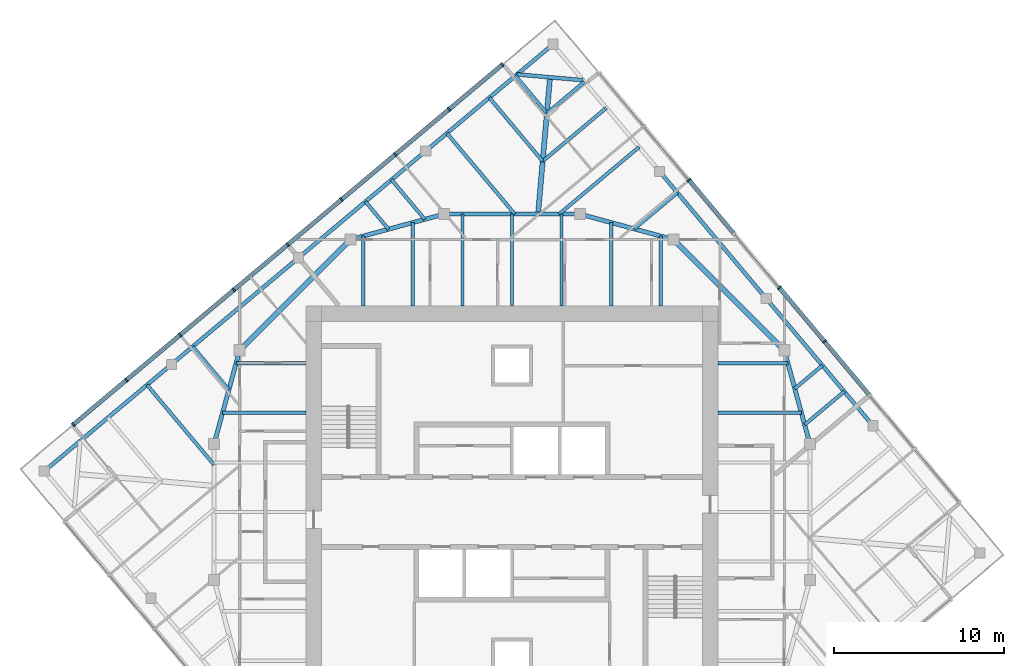
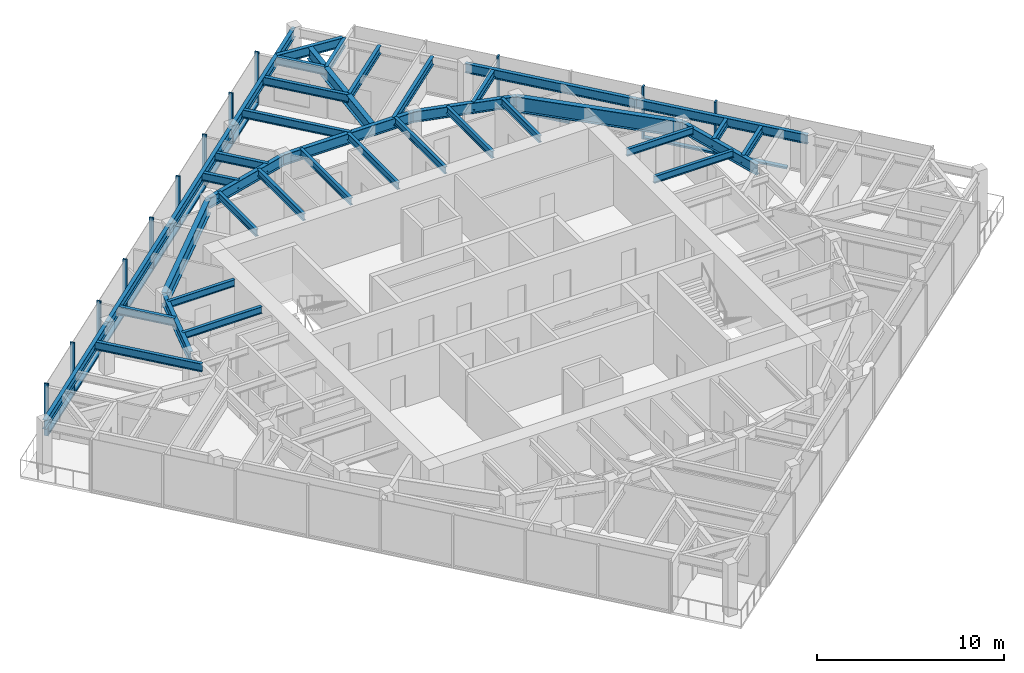
# One storey, part 4 of 12: 39 beams, 23 members, 2 elements without a shape of their own.
"""IFC4 building model written with IfcOpenShell, lengths in metres."""

from ifc_helpers import new_model, si_unit, direction, frame, origin, origin_2d, place, context, subcontext, project, spatial, rectangle, i_section, extrude, material, material_profile, profile_set, type_object, element, aggregate, save


model = new_model("IFC4")

# Units and contexts
model_context = context("Model", 3, precision=1e-05, world=origin(), true_north=direction((0.0, 1.0)))
body_context = subcontext(model_context, "Body", "Model", "MODEL_VIEW")
ifc_project = project(units=[si_unit("LENGTHUNIT", "METRE"), si_unit("AREAUNIT", "SQUARE_METRE"), si_unit("VOLUMEUNIT", "CUBIC_METRE"), si_unit("PLANEANGLEUNIT", "RADIAN"), si_unit("MASSUNIT", "GRAM", prefix="KILO")], contexts=[model_context])

# Site, building, storey
site_placement = place(None, origin())
site = spatial("IfcSite", under=ifc_project, at=site_placement, CompositionType="ELEMENT")
building_placement = place(site_placement, origin())
building = spatial("IfcBuilding", under=site, at=building_placement, Name="Torsade Residences", CompositionType="ELEMENT")
storey_placement = place(building_placement, frame((0.0, 0.0, 282.800048828125)))
storey = spatial("IfcBuildingStorey", under=building, at=storey_placement, Name="L78", CompositionType="ELEMENT", Elevation=282.800048828125)

# Beams
ifc_material_1 = material(Name="Steel grade 300", Category="steel")
ifc_material_profile_1 = material_profile(ifc_material_1, i_section(OverallWidth=0.300048828125, OverallDepth=0.800048828125, WebThickness=0.010009765625, FlangeThickness=0.02001953125, at=origin_2d()), Name="800WB146")
ifc_profile_set_1 = profile_set([ifc_material_profile_1], Name="Steel grade 300")
beam_type_1 = type_object("IfcBeamType", Name="CORNER GIRDER 800WB146", PredefinedType="BEAM", material=ifc_profile_set_1)
beam_1_placement = place(storey_placement, frame((42.234130859375, 55.53515625, 2.849853515625), z_axis=(-0.087172957961, -0.996193191806, 0.0), x_axis=(0.996193191806, -0.087172957961, 0.0)))
element("IfcBeam", 1, at=beam_1_placement, inside=storey, type_object=beam_type_1, Name="Corner girder 09 L79", PredefinedType="BEAM", context=body_context, shape_type="SweptSolid", body=[
    extrude(i_section(OverallWidth=0.300048828125, OverallDepth=0.800048828125, WebThickness=0.010009765625, FlangeThickness=0.02001953125, at=origin_2d()), origin(), (0.0, 0.0, 1.0), 8.06591796875),
])
ifc_material_2 = material(Name="Steel grade 300", Category="steel")
ifc_material_profile_2 = material_profile(ifc_material_2, i_section(OverallWidth=0.22802734375, OverallDepth=0.60205078125, WebThickness=0.010498046875, FlangeThickness=0.014892578125, FilletRadius=0.013916015625, at=origin_2d()), Name="610UB101")
ifc_profile_set_2 = profile_set([ifc_material_profile_2], Name="Steel grade 300")
beam_type_2 = type_object("IfcBeamType", Name="CORNER TRIMMER 610UB101", PredefinedType="BEAM", material=ifc_profile_set_2)
beam_2_placement = place(storey_placement, frame((40.296875, 55.70458984375, 2.948974609375), z_axis=(0.996196646947, -0.087133464362, 0.0), x_axis=(0.087133464362, 0.996196646947, 0.0)))
element("IfcBeam", 2, at=beam_2_placement, inside=storey, type_object=beam_type_2, Name="Corner trimmer 09 L79", PredefinedType="BEAM", context=body_context, shape_type="SweptSolid", body=[
    extrude(i_section(OverallWidth=0.22802734375, OverallDepth=0.60205078125, WebThickness=0.010498046875, FlangeThickness=0.014892578125, FilletRadius=0.013916015625, at=origin_2d()), origin(), (0.0, 0.0, 1.0), 3.88916015625),
])
ifc_material_3 = material(Name="Steel grade 300", Category="steel")
ifc_material_profile_3 = material_profile(ifc_material_3, i_section(OverallWidth=0.22802734375, OverallDepth=0.60205078125, WebThickness=0.010498046875, FlangeThickness=0.014892578125, FilletRadius=0.013916015625, at=origin_2d()), Name="610UB101")
ifc_profile_set_3 = profile_set([ifc_material_profile_3], Name="Steel grade 300")
beam_type_3 = type_object("IfcBeamType", Name="EDGE BEAM 610UB101", PredefinedType="SPANDREL", material=ifc_profile_set_3)
for number, where, z_axis, x_axis, name in (
    (3, (61.205078125, 35.0654296875, 2.948974609375), (-0.642779160279, 0.766051532934, 0.0), (-0.766051532934, -0.642779160279, 0.0), "Edge beam 06 L79"),
    (4, (54.93798828125, 42.534423828125, 2.948974609375), (-0.642806184154, 0.766028856906, 0.0), (-0.766028856906, -0.642806184154, 0.0), "Edge beam 07 L79"),
    (5, (42.403564453125, 57.47216796875, 2.948974609375), (-0.766051532934, -0.642779160279, 0.0), (0.642779160279, -0.766051532934, 0.0), "Edge beam 09 L79"),
    (6, (34.9345703125, 51.205078125, 2.948974609375), (-0.766051532934, -0.642779160279, 0.0), (0.642779160279, -0.766051532934, 0.0), "Edge beam 10 L79"),
    (7, (27.465576171875, 44.93798828125, 2.948974609375), (-0.766028856906, -0.642806184154, 0.0), (0.642806184154, -0.766028856906, 0.0), "Edge beam 11 L79"),
    (8, (19.996826171875, 38.670654296875, 2.948974609375), (-0.766051532934, -0.642779160279, 0.0), (0.642779160279, -0.766051532934, 0.0), "Edge beam 12 L79"),
):
    element("IfcBeam", number, at=place(storey_placement, frame(where, z_axis=z_axis, x_axis=x_axis)), inside=storey, type_object=beam_type_3, Name=name, PredefinedType="SPANDREL", context=body_context, shape_type="SweptSolid", body=[
        extrude(i_section(OverallWidth=0.22802734375, OverallDepth=0.60205078125, WebThickness=0.010498046875, FlangeThickness=0.014892578125, FilletRadius=0.013916015625, at=origin_2d()), origin(), (0.0, 0.0, 1.0), 9.75),
    ])

# Curtain wall, members
ifc_material_4 = material(Name="Aluminium and glass", Category="aluminium")
curtain_wall_type = type_object("IfcCurtainWallType", Name="FRITTED GLASS CURTAIN WALL HIGH ZONE", PredefinedType="NOTDEFINED", material=ifc_material_4)
curtain_wall_1_placement = place(storey_placement, origin())
curtain_wall_1 = element("IfcCurtainWall", 9, at=curtain_wall_1_placement, inside=storey, type_object=curtain_wall_type, Name="Curtain wall L78 face 4", PredefinedType="NOTDEFINED")
ifc_material_5 = material(Name="Aluminium mullion", Category="aluminium")
ifc_material_profile_4 = material_profile(ifc_material_5, rectangle(XDim=0.25, YDim=0.10009765625, at=origin_2d()), Name="HIGH ZONE CURTAIN WALL MULLION 250x100")
ifc_profile_set_4 = profile_set([ifc_material_profile_4], Name="Aluminium mullion")
member_type_1 = type_object("IfcMemberType", Name="HIGH ZONE CURTAIN WALL MULLION 250x100", PredefinedType="MULLION", material=ifc_profile_set_4)
member_1_placement = place(storey_placement, frame((58.35546875, 40.017333984375, 0.0), z_axis=(0.0, 0.0, 1.0), x_axis=(-0.766044437106, -0.642787616853, 0.0)))
member_1 = element("IfcMember", 10, at=member_1_placement, type_object=member_type_1, Name="Mullion 4", PredefinedType="MULLION", context=body_context, shape_type="SweptSolid", body=[
    extrude(rectangle(XDim=0.25, YDim=0.10009765625, at=origin_2d()), origin(), (0.0, 0.0, 1.0), 3.39990234375),
])
member_2_placement = place(storey_placement, frame((55.703857421875, 43.17724609375, 0.0), z_axis=(0.0, 0.0, 1.0), x_axis=(-0.766044437106, -0.642787616853, 0.0)))
member_2 = element("IfcMember", 11, at=member_2_placement, type_object=member_type_1, Name="Mullion 5", PredefinedType="MULLION", context=body_context, shape_type="SweptSolid", body=[
    extrude(rectangle(XDim=0.25, YDim=0.10009765625, at=origin_2d()), origin(), (0.0, 0.0, 1.0), 3.39990234375),
])
member_3_placement = place(storey_placement, frame((50.40087890625, 49.4970703125, 0.0), z_axis=(0.0, 0.0, 1.0), x_axis=(-0.766044437106, -0.642787616853, 0.0)))
member_3 = element("IfcMember", 12, at=member_3_placement, type_object=member_type_1, Name="Mullion 7", PredefinedType="MULLION", context=body_context, shape_type="SweptSolid", body=[
    extrude(rectangle(XDim=0.25, YDim=0.10009765625, at=origin_2d()), origin(), (0.0, 0.0, 1.0), 3.39990234375),
])

curtain_wall_2_placement = place(storey_placement, origin())
curtain_wall_2 = element("IfcCurtainWall", 13, at=curtain_wall_2_placement, inside=storey, type_object=curtain_wall_type, Name="Curtain wall L78 face 7", PredefinedType="NOTDEFINED")
member_4_placement = place(storey_placement, frame((39.42431640625, 56.27783203125, 0.0), z_axis=(0.0, 0.0, 1.0), x_axis=(0.642787616853, -0.766044437106, 0.0)))
member_4 = element("IfcMember", 14, at=member_4_placement, type_object=member_type_1, Name="Mullion 1", PredefinedType="MULLION", context=body_context, shape_type="SweptSolid", body=[
    extrude(rectangle(XDim=0.25, YDim=0.10009765625, at=origin_2d()), origin(), (0.0, 0.0, 1.0), 3.39990234375),
])
member_5_placement = place(storey_placement, frame((36.302734375, 53.658447265625, 0.0), z_axis=(0.0, 0.0, 1.0), x_axis=(0.642787616853, -0.766044437106, 0.0)))
member_5 = element("IfcMember", 15, at=member_5_placement, type_object=member_type_1, Name="Mullion 2", PredefinedType="MULLION", context=body_context, shape_type="SweptSolid", body=[
    extrude(rectangle(XDim=0.25, YDim=0.10009765625, at=origin_2d()), origin(), (0.0, 0.0, 1.0), 3.39990234375),
])
member_6_placement = place(storey_placement, frame((33.142822265625, 51.0068359375, 0.0), z_axis=(0.0, 0.0, 1.0), x_axis=(0.642787616853, -0.766044437106, 0.0)))
member_6 = element("IfcMember", 16, at=member_6_placement, type_object=member_type_1, Name="Mullion 3", PredefinedType="MULLION", context=body_context, shape_type="SweptSolid", body=[
    extrude(rectangle(XDim=0.25, YDim=0.10009765625, at=origin_2d()), origin(), (0.0, 0.0, 1.0), 3.39990234375),
])
member_7_placement = place(storey_placement, frame((29.982666015625, 48.35546875, 0.0), z_axis=(0.0, 0.0, 1.0), x_axis=(0.642787616853, -0.766044437106, 0.0)))
member_7 = element("IfcMember", 17, at=member_7_placement, type_object=member_type_1, Name="Mullion 4", PredefinedType="MULLION", context=body_context, shape_type="SweptSolid", body=[
    extrude(rectangle(XDim=0.25, YDim=0.10009765625, at=origin_2d()), origin(), (0.0, 0.0, 1.0), 3.39990234375),
])
member_8_placement = place(storey_placement, frame((26.82275390625, 45.703857421875, 0.0), z_axis=(0.0, 0.0, 1.0), x_axis=(0.642787616853, -0.766044437106, 0.0)))
member_8 = element("IfcMember", 18, at=member_8_placement, type_object=member_type_1, Name="Mullion 5", PredefinedType="MULLION", context=body_context, shape_type="SweptSolid", body=[
    extrude(rectangle(XDim=0.25, YDim=0.10009765625, at=origin_2d()), origin(), (0.0, 0.0, 1.0), 3.39990234375),
])
member_9_placement = place(storey_placement, frame((23.662841796875, 43.052490234375, 0.0), z_axis=(0.0, 0.0, 1.0), x_axis=(0.642787616853, -0.766044437106, 0.0)))
member_9 = element("IfcMember", 19, at=member_9_placement, type_object=member_type_1, Name="Mullion 6", PredefinedType="MULLION", context=body_context, shape_type="SweptSolid", body=[
    extrude(rectangle(XDim=0.25, YDim=0.10009765625, at=origin_2d()), origin(), (0.0, 0.0, 1.0), 3.39990234375),
])
member_10_placement = place(storey_placement, frame((20.5029296875, 40.40087890625, 0.0), z_axis=(0.0, 0.0, 1.0), x_axis=(0.642787616853, -0.766044437106, 0.0)))
member_10 = element("IfcMember", 20, at=member_10_placement, type_object=member_type_1, Name="Mullion 7", PredefinedType="MULLION", context=body_context, shape_type="SweptSolid", body=[
    extrude(rectangle(XDim=0.25, YDim=0.10009765625, at=origin_2d()), origin(), (0.0, 0.0, 1.0), 3.39990234375),
])
member_11_placement = place(storey_placement, frame((17.343017578125, 37.74951171875, 0.0), z_axis=(0.0, 0.0, 1.0), x_axis=(0.642787616853, -0.766044437106, 0.0)))
member_11 = element("IfcMember", 21, at=member_11_placement, type_object=member_type_1, Name="Mullion 8", PredefinedType="MULLION", context=body_context, shape_type="SweptSolid", body=[
    extrude(rectangle(XDim=0.25, YDim=0.10009765625, at=origin_2d()), origin(), (0.0, 0.0, 1.0), 3.39990234375),
])
member_12_placement = place(storey_placement, frame((14.221435546875, 35.130126953125, 0.0), z_axis=(0.0, 0.0, 1.0), x_axis=(0.642787616853, -0.766044437106, 0.0)))
member_12 = element("IfcMember", 22, at=member_12_placement, type_object=member_type_1, Name="Mullion 9", PredefinedType="MULLION", context=body_context, shape_type="SweptSolid", body=[
    extrude(rectangle(XDim=0.25, YDim=0.10009765625, at=origin_2d()), origin(), (0.0, 0.0, 1.0), 3.39990234375),
])

# Member
ifc_material_6 = material(Name="Aluminium transom", Category="aluminium")
ifc_material_profile_5 = material_profile(ifc_material_6, rectangle(XDim=0.25, YDim=0.1201171875, at=origin_2d()), Name="HIGH ZONE CURTAIN WALL TRANSOM 250x120")
ifc_profile_set_5 = profile_set([ifc_material_profile_5], Name="Aluminium transom")
member_type_2 = type_object("IfcMemberType", Name="HIGH ZONE CURTAIN WALL TRANSOM 250x120", PredefinedType="USERDEFINED", material=ifc_profile_set_5)
member_13_placement = place(storey_placement, frame((60.974853515625, 36.8955078125, 0.06005859375), z_axis=(-0.642793719372, 0.766039316443, 0.0), x_axis=(-0.766039316443, -0.642793719372, 0.0)))
member_13 = element("IfcMember", 23, at=member_13_placement, type_object=member_type_2, Name="Transom 3.1", ObjectType="TRANSOM", PredefinedType="USERDEFINED", context=body_context, shape_type="SweptSolid", body=[
    extrude(rectangle(XDim=0.25, YDim=0.1201171875, at=origin_2d()), origin(), (0.0, 0.0, 1.0), 4.025146484375),
])

member_14_placement = place(storey_placement, frame((58.3232421875, 40.055419921875, 0.06005859375), z_axis=(-0.6427581255, 0.766069182322, 0.0), x_axis=(-0.766069182322, -0.6427581255, 0.0)))
member_14 = element("IfcMember", 24, at=member_14_placement, type_object=member_type_2, Name="Transom 4.1", ObjectType="TRANSOM", PredefinedType="USERDEFINED", context=body_context, shape_type="SweptSolid", body=[
    extrude(rectangle(XDim=0.25, YDim=0.1201171875, at=origin_2d()), origin(), (0.0, 0.0, 1.0), 4.025146484375),
])

member_15_placement = place(storey_placement, frame((53.020263671875, 46.37548828125, 0.06005859375), z_axis=(-0.642787992616, 0.766044121803, 0.0), x_axis=(-0.766044121803, -0.642787992616, 0.0)))
member_15 = element("IfcMember", 25, at=member_15_placement, type_object=member_type_2, Name="Transom 6.1", ObjectType="TRANSOM", PredefinedType="USERDEFINED", context=body_context, shape_type="SweptSolid", body=[
    extrude(rectangle(XDim=0.25, YDim=0.1201171875, at=origin_2d()), origin(), (0.0, 0.0, 1.0), 4.02490234375),
])

aggregate(curtain_wall_1, [member_1, member_2, member_3, member_13, member_14, member_15])

member_16_placement = place(storey_placement, frame((39.385986328125, 56.24560546875, 0.06005859375), z_axis=(-0.766021778456, -0.642814619413, 0.0), x_axis=(0.642814619413, -0.766021778456, 0.0)))
member_16 = element("IfcMember", 26, at=member_16_placement, type_object=member_type_2, Name="Transom 1.1", ObjectType="TRANSOM", PredefinedType="USERDEFINED", context=body_context, shape_type="SweptSolid", body=[
    extrude(rectangle(XDim=0.25, YDim=0.1201171875, at=origin_2d()), origin(), (0.0, 0.0, 1.0), 3.97509765625),
])

member_17_placement = place(storey_placement, frame((36.264404296875, 53.626220703125, 0.06005859375), z_axis=(-0.766069182322, -0.6427581255, 0.0), x_axis=(0.6427581255, -0.766069182322, 0.0)))
member_17 = element("IfcMember", 27, at=member_17_placement, type_object=member_type_2, Name="Transom 2.1", ObjectType="TRANSOM", PredefinedType="USERDEFINED", context=body_context, shape_type="SweptSolid", body=[
    extrude(rectangle(XDim=0.25, YDim=0.1201171875, at=origin_2d()), origin(), (0.0, 0.0, 1.0), 4.025146484375),
])

member_18_placement = place(storey_placement, frame((33.1044921875, 50.974853515625, 0.06005859375), z_axis=(-0.766039316443, -0.642793719372, 0.0), x_axis=(0.642793719372, -0.766039316443, 0.0)))
member_18 = element("IfcMember", 28, at=member_18_placement, type_object=member_type_2, Name="Transom 3.1", ObjectType="TRANSOM", PredefinedType="USERDEFINED", context=body_context, shape_type="SweptSolid", body=[
    extrude(rectangle(XDim=0.25, YDim=0.1201171875, at=origin_2d()), origin(), (0.0, 0.0, 1.0), 4.025146484375),
])

member_19_placement = place(storey_placement, frame((29.944580078125, 48.3232421875, 0.06005859375), z_axis=(-0.766069182322, -0.6427581255, 0.0), x_axis=(0.6427581255, -0.766069182322, 0.0)))
member_19 = element("IfcMember", 29, at=member_19_placement, type_object=member_type_2, Name="Transom 4.1", ObjectType="TRANSOM", PredefinedType="USERDEFINED", context=body_context, shape_type="SweptSolid", body=[
    extrude(rectangle(XDim=0.25, YDim=0.1201171875, at=origin_2d()), origin(), (0.0, 0.0, 1.0), 4.025146484375),
])

member_20_placement = place(storey_placement, frame((26.78466796875, 45.671875, 0.06005859375), z_axis=(-0.766039316443, -0.642793719372, 0.0), x_axis=(0.642793719372, -0.766039316443, 0.0)))
member_20 = element("IfcMember", 30, at=member_20_placement, type_object=member_type_2, Name="Transom 5.1", ObjectType="TRANSOM", PredefinedType="USERDEFINED", context=body_context, shape_type="SweptSolid", body=[
    extrude(rectangle(XDim=0.25, YDim=0.1201171875, at=origin_2d()), origin(), (0.0, 0.0, 1.0), 4.025146484375),
])

member_21_placement = place(storey_placement, frame((23.62451171875, 43.020263671875, 0.06005859375), z_axis=(-0.766044121803, -0.642787992616, 0.0), x_axis=(0.642787992616, -0.766044121803, 0.0)))
member_21 = element("IfcMember", 31, at=member_21_placement, type_object=member_type_2, Name="Transom 6.1", ObjectType="TRANSOM", PredefinedType="USERDEFINED", context=body_context, shape_type="SweptSolid", body=[
    extrude(rectangle(XDim=0.25, YDim=0.1201171875, at=origin_2d()), origin(), (0.0, 0.0, 1.0), 4.02490234375),
])

member_22_placement = place(storey_placement, frame((20.464599609375, 40.36865234375, 0.06005859375), z_axis=(-0.766044121803, -0.642787992616, 0.0), x_axis=(0.642787992616, -0.766044121803, 0.0)))
member_22 = element("IfcMember", 32, at=member_22_placement, type_object=member_type_2, Name="Transom 7.1", ObjectType="TRANSOM", PredefinedType="USERDEFINED", context=body_context, shape_type="SweptSolid", body=[
    extrude(rectangle(XDim=0.25, YDim=0.1201171875, at=origin_2d()), origin(), (0.0, 0.0, 1.0), 4.02490234375),
])

member_23_placement = place(storey_placement, frame((17.3046875, 37.71728515625, 0.06005859375), z_axis=(-0.766021778456, -0.642814619413, 0.0), x_axis=(0.642814619413, -0.766021778456, 0.0)))
member_23 = element("IfcMember", 33, at=member_23_placement, type_object=member_type_2, Name="Transom 8.1", ObjectType="TRANSOM", PredefinedType="USERDEFINED", context=body_context, shape_type="SweptSolid", body=[
    extrude(rectangle(XDim=0.25, YDim=0.1201171875, at=origin_2d()), origin(), (0.0, 0.0, 1.0), 3.97509765625),
])

aggregate(curtain_wall_2, [member_4, member_5, member_6, member_7, member_8, member_9, member_10, member_11, member_12, member_16, member_17, member_18, member_19, member_20, member_21, member_22, member_23])

# Beams
ifc_material_7 = material(Name="Steel grade 300", Category="steel")
ifc_material_profile_6 = material_profile(ifc_material_7, i_section(OverallWidth=0.18994140625, OverallDepth=0.4541015625, WebThickness=0.008544921875, FlangeThickness=0.0126953125, FilletRadius=0.011474609375, at=origin_2d()), Name="460UB67.1")
ifc_profile_set_6 = profile_set([ifc_material_profile_6], Name="Steel grade 300")
beam_type_4 = type_object("IfcBeamType", Name="INNER FLOOR BEAM 460UB67.1", PredefinedType="JOIST", material=ifc_profile_set_6)
beam_3_placement = place(storey_placement, frame((31.262451171875, 42.10009765625, 3.02294921875), z_axis=(0.0, 1.0, 0.0), x_axis=(-1.0, 0.0, 0.0)))
element("IfcBeam", 34, at=beam_3_placement, inside=storey, type_object=beam_type_4, Name="Inner floor beam IN01 L79", PredefinedType="JOIST", context=body_context, shape_type="SweptSolid", body=[
    extrude(i_section(OverallWidth=0.18994140625, OverallDepth=0.4541015625, WebThickness=0.008544921875, FlangeThickness=0.0126953125, FilletRadius=0.011474609375, at=origin_2d()), origin(), (0.0, 0.0, 1.0), 4.10791015625),
])
beam_4_placement = place(storey_placement, frame((34.175048828125, 42.10009765625, 3.02294921875), z_axis=(0.0, 1.0, 0.0), x_axis=(-1.0, 0.0, 0.0)))
element("IfcBeam", 35, at=beam_4_placement, inside=storey, type_object=beam_type_4, Name="Inner floor beam IN02 L79", PredefinedType="JOIST", context=body_context, shape_type="SweptSolid", body=[
    extrude(i_section(OverallWidth=0.18994140625, OverallDepth=0.4541015625, WebThickness=0.008544921875, FlangeThickness=0.0126953125, FilletRadius=0.011474609375, at=origin_2d()), origin(), (0.0, 0.0, 1.0), 4.902099609375),
])
for number, where, z_axis, x_axis, name in (
    (36, (37.08740234375, 42.10009765625, 3.02294921875), (0.0, 1.0, 0.0), (-1.0, 0.0, 0.0), "Inner floor beam IN03 L79"),
    (37, (40.0, 42.10009765625, 3.02294921875), (0.0, 1.0, 0.0), (-1.0, 0.0, 0.0), "Inner floor beam IN04 L79"),
    (38, (42.91259765625, 42.10009765625, 3.02294921875), (0.0, 1.0, 0.0), (-1.0, 0.0, 0.0), "Inner floor beam IN05 L79"),
):
    element("IfcBeam", number, at=place(storey_placement, frame(where, z_axis=z_axis, x_axis=x_axis)), inside=storey, type_object=beam_type_4, Name=name, PredefinedType="JOIST", context=body_context, shape_type="SweptSolid", body=[
        extrude(i_section(OverallWidth=0.18994140625, OverallDepth=0.4541015625, WebThickness=0.008544921875, FlangeThickness=0.0126953125, FilletRadius=0.011474609375, at=origin_2d()), origin(), (0.0, 0.0, 1.0), 5.39990234375),
    ])
beam_5_placement = place(storey_placement, frame((45.824951171875, 42.10009765625, 3.02294921875), z_axis=(0.0, 1.0, 0.0), x_axis=(-1.0, 0.0, 0.0)))
element("IfcBeam", 39, at=beam_5_placement, inside=storey, type_object=beam_type_4, Name="Inner floor beam IN06 L79", PredefinedType="JOIST", context=body_context, shape_type="SweptSolid", body=[
    extrude(i_section(OverallWidth=0.18994140625, OverallDepth=0.4541015625, WebThickness=0.008544921875, FlangeThickness=0.0126953125, FilletRadius=0.011474609375, at=origin_2d()), origin(), (0.0, 0.0, 1.0), 4.902099609375),
])
beam_6_placement = place(storey_placement, frame((48.737548828125, 42.10009765625, 3.02294921875), z_axis=(0.0, 1.0, 0.0), x_axis=(-1.0, 0.0, 0.0)))
element("IfcBeam", 40, at=beam_6_placement, inside=storey, type_object=beam_type_4, Name="Inner floor beam IN07 L79", PredefinedType="JOIST", context=body_context, shape_type="SweptSolid", body=[
    extrude(i_section(OverallWidth=0.18994140625, OverallDepth=0.4541015625, WebThickness=0.008544921875, FlangeThickness=0.0126953125, FilletRadius=0.011474609375, at=origin_2d()), origin(), (0.0, 0.0, 1.0), 4.10791015625),
])
beam_7_placement = place(storey_placement, frame((52.10009765625, 35.824951171875, 3.02294921875), z_axis=(1.0, 0.0, 0.0), x_axis=(0.0, 1.0, 0.0)))
element("IfcBeam", 41, at=beam_7_placement, inside=storey, type_object=beam_type_4, Name="Inner floor beam IE06 L79", PredefinedType="JOIST", context=body_context, shape_type="SweptSolid", body=[
    extrude(i_section(OverallWidth=0.18994140625, OverallDepth=0.4541015625, WebThickness=0.008544921875, FlangeThickness=0.0126953125, FilletRadius=0.011474609375, at=origin_2d()), origin(), (0.0, 0.0, 1.0), 4.902099609375),
])
for number, where, z_axis, x_axis, name in (
    (42, (52.10009765625, 38.737548828125, 3.02294921875), (1.0, 0.0, 0.0), (0.0, 1.0, 0.0), "Inner floor beam IE07 L79"),
    (43, (27.89990234375, 38.737548828125, 3.02294921875), (-1.0, 0.0, 0.0), (0.0, -1.0, 0.0), "Inner floor beam IW01 L79"),
):
    element("IfcBeam", number, at=place(storey_placement, frame(where, z_axis=z_axis, x_axis=x_axis)), inside=storey, type_object=beam_type_4, Name=name, PredefinedType="JOIST", context=body_context, shape_type="SweptSolid", body=[
        extrude(i_section(OverallWidth=0.18994140625, OverallDepth=0.4541015625, WebThickness=0.008544921875, FlangeThickness=0.0126953125, FilletRadius=0.011474609375, at=origin_2d()), origin(), (0.0, 0.0, 1.0), 4.10791015625),
    ])
beam_8_placement = place(storey_placement, frame((27.89990234375, 35.824951171875, 3.02294921875), z_axis=(-1.0, 0.0, 0.0), x_axis=(0.0, -1.0, 0.0)))
element("IfcBeam", 44, at=beam_8_placement, inside=storey, type_object=beam_type_4, Name="Inner floor beam IW02 L79", PredefinedType="JOIST", context=body_context, shape_type="SweptSolid", body=[
    extrude(i_section(OverallWidth=0.18994140625, OverallDepth=0.4541015625, WebThickness=0.008544921875, FlangeThickness=0.0126953125, FilletRadius=0.011474609375, at=origin_2d()), origin(), (0.0, 0.0, 1.0), 4.902099609375),
])
ifc_material_8 = material(Name="Steel grade 300", Category="steel")
ifc_material_profile_7 = material_profile(ifc_material_8, i_section(OverallWidth=0.300048828125, OverallDepth=1.0, WebThickness=0.01611328125, FlangeThickness=0.028076171875, at=origin_2d()), Name="1000WB215")
ifc_profile_set_7 = profile_set([ifc_material_profile_7], Name="Steel grade 300")
beam_type_5 = type_object("IfcBeamType", Name="RING CORNER GIRDER 1000WB215", PredefinedType="BEAM", material=ifc_profile_set_7)
for number, where, z_axis, x_axis, name in (
    (45, (56.0, 39.5, 2.75), (-0.707106781187, 0.707106781187, 0.0), (-0.707106781187, -0.707106781187, 0.0), "Ring girder IR03 L79"),
    (46, (30.5, 46.0, 2.75), (-0.707106781187, -0.707106781187, 0.0), (0.707106781187, -0.707106781187, 0.0), "Ring girder IR07 L79"),
):
    element("IfcBeam", number, at=place(storey_placement, frame(where, z_axis=z_axis, x_axis=x_axis)), inside=storey, type_object=beam_type_5, Name=name, PredefinedType="BEAM", context=body_context, shape_type="SweptSolid", body=[
        extrude(i_section(OverallWidth=0.300048828125, OverallDepth=1.0, WebThickness=0.01611328125, FlangeThickness=0.028076171875, at=origin_2d()), origin(), (0.0, 0.0, 1.0), 9.1923828125),
    ])
ifc_material_9 = material(Name="Steel grade 300", Category="steel")
ifc_material_profile_8 = material_profile(ifc_material_9, i_section(OverallWidth=0.25, OverallDepth=0.699951171875, WebThickness=0.010009765625, FlangeThickness=0.02001953125, at=origin_2d()), Name="700WB130")
ifc_profile_set_8 = profile_set([ifc_material_profile_8], Name="Steel grade 300")
beam_type_6 = type_object("IfcBeamType", Name="RING GIRDER 700WB130", PredefinedType="BEAM", material=ifc_profile_set_8)
for number, where, z_axis, x_axis, name in (
    (47, (57.5, 34.0, 2.89990234375), (-0.263117405792, 0.964763821238, 0.0), (-0.964763821238, -0.263117405792, 0.0), "Ring girder IR02 L79"),
    (48, (49.5, 46.0, 2.89990234375), (-0.964763821238, 0.263117405792, 0.0), (-0.263117405792, -0.964763821238, 0.0), "Ring girder IR04 L79"),
):
    element("IfcBeam", number, at=place(storey_placement, frame(where, z_axis=z_axis, x_axis=x_axis)), inside=storey, type_object=beam_type_6, Name=name, PredefinedType="BEAM", context=body_context, shape_type="SweptSolid", body=[
        extrude(i_section(OverallWidth=0.25, OverallDepth=0.699951171875, WebThickness=0.010009765625, FlangeThickness=0.02001953125, at=origin_2d()), origin(), (0.0, 0.0, 1.0), 5.700927734375),
    ])
beam_9_placement = place(storey_placement, frame((44.0, 47.5, 2.89990234375), z_axis=(-1.0, 0.0, 0.0), x_axis=(0.0, -1.0, 0.0)))
element("IfcBeam", 49, at=beam_9_placement, inside=storey, type_object=beam_type_6, Name="Ring girder IR05 L79", PredefinedType="BEAM", context=body_context, shape_type="SweptSolid", body=[
    extrude(i_section(OverallWidth=0.25, OverallDepth=0.699951171875, WebThickness=0.010009765625, FlangeThickness=0.02001953125, at=origin_2d()), origin(), (0.0, 0.0, 1.0), 8.0),
])
for number, where, z_axis, x_axis, name in (
    (50, (36.0, 47.5, 2.89990234375), (-0.964763821238, -0.263117405792, 0.0), (0.263117405792, -0.964763821238, 0.0), "Ring girder IR06 L79"),
    (51, (24.0, 39.5, 2.89990234375), (-0.263117405792, -0.964763821238, 0.0), (0.964763821238, -0.263117405792, 0.0), "Ring girder IR08 L79"),
):
    element("IfcBeam", number, at=place(storey_placement, frame(where, z_axis=z_axis, x_axis=x_axis)), inside=storey, type_object=beam_type_6, Name=name, PredefinedType="BEAM", context=body_context, shape_type="SweptSolid", body=[
        extrude(i_section(OverallWidth=0.25, OverallDepth=0.699951171875, WebThickness=0.010009765625, FlangeThickness=0.02001953125, at=origin_2d()), origin(), (0.0, 0.0, 1.0), 5.700927734375),
    ])
ifc_material_10 = material(Name="Steel grade 300", Category="steel")
ifc_material_profile_9 = material_profile(ifc_material_10, i_section(OverallWidth=0.208984375, OverallDepth=0.532958984375, WebThickness=0.01025390625, FlangeThickness=0.015625, FilletRadius=0.013916015625, at=origin_2d()), Name="530UB92.4")
ifc_profile_set_9 = profile_set([ifc_material_profile_9], Name="Steel grade 300")
beam_type_7 = type_object("IfcBeamType", Name="SECONDARY BEAM 530UB92.4", PredefinedType="JOIST", material=ifc_profile_set_9)
beam_10_placement = place(storey_placement, frame((59.517822265625, 37.076171875, 2.9833984375), z_axis=(-0.766080361029, -0.64274480196, 0.0), x_axis=(0.64274480196, -0.766080361029, 0.0)))
element("IfcBeam", 52, at=beam_10_placement, inside=storey, type_object=beam_type_7, Name="Floor beam FE04 L79", PredefinedType="JOIST", context=body_context, shape_type="SweptSolid", body=[
    extrude(i_section(OverallWidth=0.208984375, OverallDepth=0.532958984375, WebThickness=0.01025390625, FlangeThickness=0.015625, FilletRadius=0.013916015625, at=origin_2d()), origin(), (0.0, 0.0, 1.0), 3.03466796875),
])
beam_11_placement = place(storey_placement, frame((58.232177734375, 38.6083984375, 2.9833984375), z_axis=(-0.766057560226, -0.642771977004, 0.0), x_axis=(0.642771977004, -0.766057560226, 0.0)))
element("IfcBeam", 53, at=beam_11_placement, inside=storey, type_object=beam_type_7, Name="Floor beam FE05 L79", PredefinedType="JOIST", context=body_context, shape_type="SweptSolid", body=[
    extrude(i_section(OverallWidth=0.208984375, OverallDepth=0.532958984375, WebThickness=0.01025390625, FlangeThickness=0.015625, FilletRadius=0.013916015625, at=origin_2d()), origin(), (0.0, 0.0, 1.0), 2.113037109375),
])
beam_12_placement = place(storey_placement, frame((49.71533203125, 48.758544921875, 2.9833984375), z_axis=(-0.766044990879, -0.642786956891, 0.0), x_axis=(0.642786956891, -0.766044990879, 0.0)))
element("IfcBeam", 54, at=beam_12_placement, inside=storey, type_object=beam_type_7, Name="Floor beam FE09 L79", PredefinedType="JOIST", context=body_context, shape_type="SweptSolid", body=[
    extrude(i_section(OverallWidth=0.208984375, OverallDepth=0.532958984375, WebThickness=0.01025390625, FlangeThickness=0.015625, FilletRadius=0.013916015625, at=origin_2d()), origin(), (0.0, 0.0, 1.0), 3.307861328125),
])
beam_13_placement = place(storey_placement, frame((47.465576171875, 51.439697265625, 2.9833984375), z_axis=(-0.766039049329, -0.642794037701, 0.0), x_axis=(0.642794037701, -0.766039049329, 0.0)))
element("IfcBeam", 55, at=beam_13_placement, inside=storey, type_object=beam_type_7, Name="Floor beam FE10 L79", PredefinedType="JOIST", context=body_context, shape_type="SweptSolid", body=[
    extrude(i_section(OverallWidth=0.208984375, OverallDepth=0.532958984375, WebThickness=0.01025390625, FlangeThickness=0.015625, FilletRadius=0.013916015625, at=origin_2d()), origin(), (0.0, 0.0, 1.0), 6.12890625),
])
beam_14_placement = place(storey_placement, frame((45.537109375, 53.73779296875, 2.9833984375), z_axis=(-0.766041186946, -0.642791490223, 0.0), x_axis=(0.642791490223, -0.766041186946, 0.0)))
element("IfcBeam", 56, at=beam_14_placement, inside=storey, type_object=beam_type_7, Name="Floor beam FE11 L79", PredefinedType="JOIST", context=body_context, shape_type="SweptSolid", body=[
    extrude(i_section(OverallWidth=0.208984375, OverallDepth=0.532958984375, WebThickness=0.01025390625, FlangeThickness=0.015625, FilletRadius=0.013916015625, at=origin_2d()), origin(), (0.0, 0.0, 1.0), 4.875),
])
for number, where, z_axis, x_axis, name in (
    (57, (44.25146484375, 55.269775390625, 2.9833984375), (-0.766066093402, -0.642761807001, 0.0), (0.642761807001, -0.766066093402, 0.0), "Floor beam FE12 L79"),
    (58, (40.201171875, 55.624267578125, 2.9833984375), (0.642761807001, -0.766066093402, 0.0), (0.766066093402, 0.642761807001, 0.0), "Floor beam FN01 L79"),
):
    element("IfcBeam", number, at=place(storey_placement, frame(where, z_axis=z_axis, x_axis=x_axis)), inside=storey, type_object=beam_type_7, Name=name, PredefinedType="JOIST", context=body_context, shape_type="SweptSolid", body=[
        extrude(i_section(OverallWidth=0.208984375, OverallDepth=0.532958984375, WebThickness=0.01025390625, FlangeThickness=0.015625, FilletRadius=0.013916015625, at=origin_2d()), origin(), (0.0, 0.0, 1.0), 2.875),
    ])
beam_15_placement = place(storey_placement, frame((38.6689453125, 54.338623046875, 2.9833984375), z_axis=(0.642820877376, -0.766016526982, 0.0), x_axis=(0.766016526982, 0.642820877376, 0.0)))
element("IfcBeam", 59, at=beam_15_placement, inside=storey, type_object=beam_type_7, Name="Floor beam FN02 L79", PredefinedType="JOIST", context=body_context, shape_type="SweptSolid", body=[
    extrude(i_section(OverallWidth=0.208984375, OverallDepth=0.532958984375, WebThickness=0.01025390625, FlangeThickness=0.015625, FilletRadius=0.013916015625, at=origin_2d()), origin(), (0.0, 0.0, 1.0), 4.875),
])
beam_16_placement = place(storey_placement, frame((36.179443359375, 52.24951171875, 2.9833984375), z_axis=(0.642791209238, -0.766041422722, 0.0), x_axis=(0.766041422722, 0.642791209238, 0.0)))
element("IfcBeam", 60, at=beam_16_placement, inside=storey, type_object=beam_type_7, Name="Floor beam FN03 L79", PredefinedType="JOIST", context=body_context, shape_type="SweptSolid", body=[
    extrude(i_section(OverallWidth=0.208984375, OverallDepth=0.532958984375, WebThickness=0.01025390625, FlangeThickness=0.015625, FilletRadius=0.013916015625, at=origin_2d()), origin(), (0.0, 0.0, 1.0), 6.199951171875),
])
beam_17_placement = place(storey_placement, frame((32.923828125, 49.517822265625, 2.9833984375), z_axis=(0.64274480196, -0.766080361029, 0.0), x_axis=(0.766080361029, 0.64274480196, 0.0)))
element("IfcBeam", 61, at=beam_17_placement, inside=storey, type_object=beam_type_7, Name="Floor beam FN04 L79", PredefinedType="JOIST", context=body_context, shape_type="SweptSolid", body=[
    extrude(i_section(OverallWidth=0.208984375, OverallDepth=0.532958984375, WebThickness=0.01025390625, FlangeThickness=0.015625, FilletRadius=0.013916015625, at=origin_2d()), origin(), (0.0, 0.0, 1.0), 3.03466796875),
])
beam_18_placement = place(storey_placement, frame((31.3916015625, 48.232177734375, 2.9833984375), z_axis=(0.642771977004, -0.766057560226, 0.0), x_axis=(0.766057560226, 0.642771977004, 0.0)))
element("IfcBeam", 62, at=beam_18_placement, inside=storey, type_object=beam_type_7, Name="Floor beam FN05 L79", PredefinedType="JOIST", context=body_context, shape_type="SweptSolid", body=[
    extrude(i_section(OverallWidth=0.208984375, OverallDepth=0.532958984375, WebThickness=0.01025390625, FlangeThickness=0.015625, FilletRadius=0.013916015625, at=origin_2d()), origin(), (0.0, 0.0, 1.0), 2.113037109375),
])
beam_19_placement = place(storey_placement, frame((21.241455078125, 39.71533203125, 2.9833984375), z_axis=(0.642786956891, -0.766044990879, 0.0), x_axis=(0.766044990879, 0.642786956891, 0.0)))
element("IfcBeam", 63, at=beam_19_placement, inside=storey, type_object=beam_type_7, Name="Floor beam FN09 L79", PredefinedType="JOIST", context=body_context, shape_type="SweptSolid", body=[
    extrude(i_section(OverallWidth=0.208984375, OverallDepth=0.532958984375, WebThickness=0.01025390625, FlangeThickness=0.015625, FilletRadius=0.013916015625, at=origin_2d()), origin(), (0.0, 0.0, 1.0), 3.307861328125),
])
beam_20_placement = place(storey_placement, frame((18.560302734375, 37.465576171875, 2.9833984375), z_axis=(0.642794037701, -0.766039049329, 0.0), x_axis=(0.766039049329, 0.642794037701, 0.0)))
element("IfcBeam", 64, at=beam_20_placement, inside=storey, type_object=beam_type_7, Name="Floor beam FN10 L79", PredefinedType="JOIST", context=body_context, shape_type="SweptSolid", body=[
    extrude(i_section(OverallWidth=0.208984375, OverallDepth=0.532958984375, WebThickness=0.01025390625, FlangeThickness=0.015625, FilletRadius=0.013916015625, at=origin_2d()), origin(), (0.0, 0.0, 1.0), 6.12890625),
])

save(model, "model.ifc")
